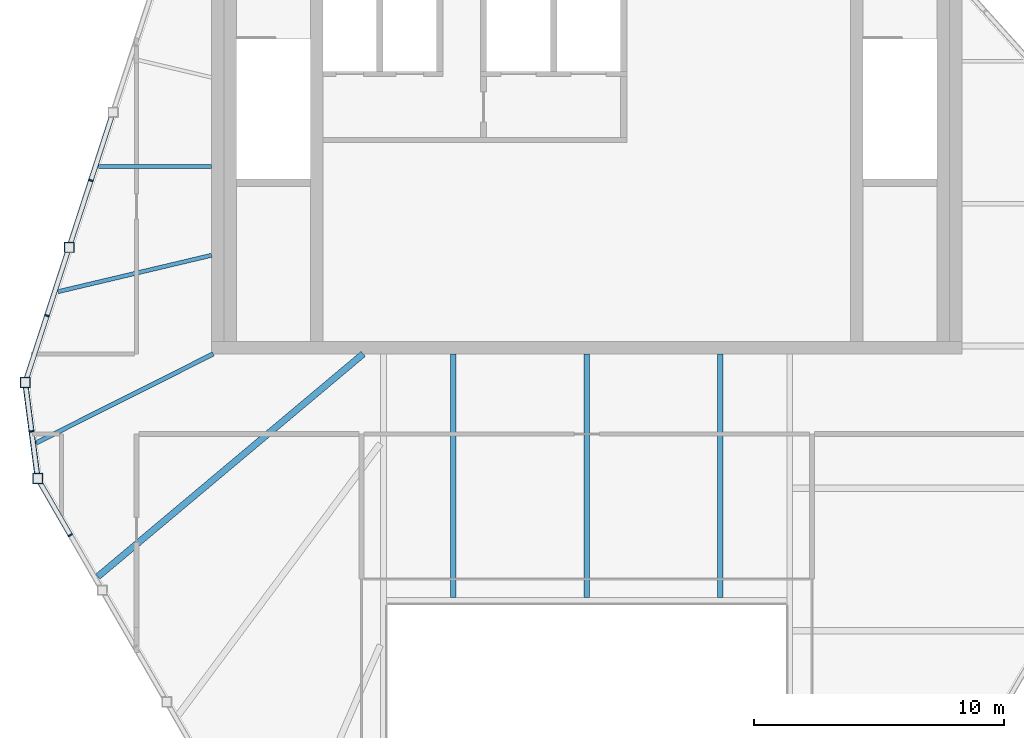
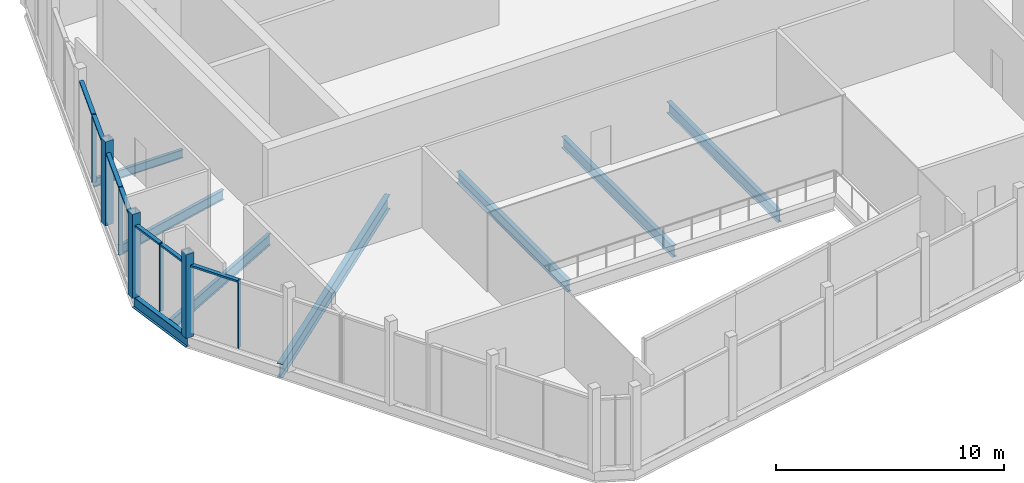
# One storey, part 3 of 10: 14 members, 8 beams, 3 elements without a shape of their own.
"""IFC4 building model written with IfcOpenShell, lengths in metres."""

from ifc_helpers import new_model, si_unit, direction, frame, origin, origin_2d, place, context, subcontext, project, spatial, rectangle, hollow_rectangle, i_section, extrude, material, layer, layer_set, material_profile, profile_set, type_object, element, aggregate, save


model = new_model("IFC4")

# Units and contexts
model_context = context("Model", 3, precision=1e-05, world=origin(), true_north=direction((0.0, 1.0)))
body_context = subcontext(model_context, "Body", "Model", "MODEL_VIEW")
ifc_project = project(units=[si_unit("LENGTHUNIT", "METRE"), si_unit("AREAUNIT", "SQUARE_METRE"), si_unit("VOLUMEUNIT", "CUBIC_METRE"), si_unit("PLANEANGLEUNIT", "RADIAN"), si_unit("MASSUNIT", "GRAM", prefix="KILO")], contexts=[model_context])

# Site, building, storey
site_placement = place(None, origin())
site = spatial("IfcSite", under=ifc_project, at=site_placement, CompositionType="ELEMENT")
building_placement = place(site_placement, origin())
building = spatial("IfcBuilding", under=site, at=building_placement, Name="Isthmus Gate Tower", CompositionType="ELEMENT")
storey_placement = place(building_placement, frame((0.0, 0.0, 311.10009765625)))
storey = spatial("IfcBuildingStorey", under=building, at=storey_placement, Name="C3", CompositionType="ELEMENT", Elevation=311.10009765625)

# Members
ifc_material_1 = material(Name="Structural steel ASTM A500 Gr C", Category="steel")
ifc_material_profile_1 = material_profile(ifc_material_1, hollow_rectangle(XDim=0.406494140625, YDim=0.406494140625, WallThickness=0.017578125, at=origin_2d()), Name="HSS16X16X3/4")
ifc_profile_set_1 = profile_set([ifc_material_profile_1], Name="Structural steel ASTM A500 Gr C")
member_type_1 = type_object("IfcMemberType", Name="CROWN POST HSS16X16X3/4", PredefinedType="POST", material=ifc_profile_set_1)
for number, where, z_axis, x_axis, name in (
    (1, (-20.693359375, 4.26123046875, -0.25), (0.0, 0.0, 1.0), (1.0, 0.0, 0.0), "str-crownpost-C3-09"),
    (2, (-22.449462890625, -1.1435546875, -0.25), (0.0, 0.0, 1.0), (1.0, 0.0, 0.0), "str-crownpost-C3-10"),
    (3, (-21.949462890625, -4.982177734375, -0.25), (0.0, 0.0, 1.0), (1.0, 0.0, 0.0), "str-crownpost-C3-11"),
):
    element("IfcMember", number, at=place(storey_placement, frame(where, z_axis=z_axis, x_axis=x_axis)), inside=storey, type_object=member_type_1, Name=name, PredefinedType="POST", context=body_context, shape_type="SweptSolid", body=[
        extrude(hollow_rectangle(XDim=0.406494140625, YDim=0.406494140625, WallThickness=0.017578125, at=origin_2d()), origin(), (0.0, 0.0, 1.0), 4.5),
    ])

# Beam
ifc_material_2 = material(Name="Structural steel ASTM A992 Gr 50", Category="steel")
ifc_material_profile_2 = material_profile(ifc_material_2, i_section(OverallWidth=0.231689453125, OverallDepth=0.615966796875, WebThickness=0.0126953125, FlangeThickness=0.022216796875, at=origin_2d()), Name="W24X94")
ifc_profile_set_2 = profile_set([ifc_material_profile_2], Name="Structural steel ASTM A992 Gr 50")
beam_type_1 = type_object("IfcBeamType", Name="CROWN RING BEAM W24X94", PredefinedType="BEAM", material=ifc_profile_set_2)
beam_1_placement = place(storey_placement, frame((-22.449462890625, -1.1435546875, -0.55810546875), z_axis=(0.129163927133, -0.991623255036, 0.0), x_axis=(0.991623255036, 0.129163927133, 0.0)))
element("IfcBeam", 4, at=beam_1_placement, inside=storey, type_object=beam_type_1, Name="str-crownring-C3-03", PredefinedType="BEAM", context=body_context, shape_type="SweptSolid", body=[
    extrude(i_section(OverallWidth=0.231689453125, OverallDepth=0.615966796875, WebThickness=0.0126953125, FlangeThickness=0.022216796875, at=origin_2d()), origin(), (0.0, 0.0, 1.0), 3.87109375),
])

# Curtain wall, members
ifc_material_3 = material(Name="Aluminium, pale champagne anodised", Category="aluminium")
ifc_layer = layer(ifc_material_3, 0.199951171875)
ifc_layer_set = layer_set([ifc_layer], Name="CW-2 LOUVRE CURTAIN WALL 200 DEEP")
curtain_wall_type = type_object("IfcCurtainWallType", Name="CW-2 LOUVRE CURTAIN WALL 200 DEEP", PredefinedType="NOTDEFINED", material=ifc_layer_set)
curtain_wall_1_placement = place(storey_placement, origin())
curtain_wall_1 = element("IfcCurtainWall", 5, at=curtain_wall_1_placement, inside=storey, type_object=curtain_wall_type, Name="CW-2 E02 C3", PredefinedType="NOTDEFINED")
ifc_material_4 = material(Name="Aluminium, pale champagne anodised", Category="aluminium")
ifc_material_profile_3 = material_profile(ifc_material_4, rectangle(XDim=0.06005859375, YDim=0.199951171875, at=origin_2d()), Name="60x200")
ifc_profile_set_3 = profile_set([ifc_material_profile_3], Name="Aluminium, pale champagne anodised")
member_type_2 = type_object("IfcMemberType", Name="CW-2 MULLION 60 X 200", PredefinedType="MULLION", material=ifc_profile_set_3)
member_1_placement = place(storey_placement, frame((-19.82470703125, 6.93505859375, 0.0), z_axis=(0.0, 0.0, 1.0), x_axis=(-0.309016994375, -0.951056516295, 0.0)))
member_1 = element("IfcMember", 6, at=member_1_placement, type_object=member_type_2, Name="CW-2 mullion", PredefinedType="MULLION", context=body_context, shape_type="SweptSolid", body=[
    extrude(rectangle(XDim=0.06005859375, YDim=0.199951171875, at=origin_2d()), origin(), (0.0, 0.0, 1.0), 3.634033203125),
])
member_2_placement = place(storey_placement, frame((-21.580810546875, 1.5302734375, 0.0), z_axis=(0.0, 0.0, 1.0), x_axis=(-0.309016994375, -0.951056516295, 0.0)))
member_2 = element("IfcMember", 7, at=member_2_placement, type_object=member_type_2, Name="CW-2 mullion", PredefinedType="MULLION", context=body_context, shape_type="SweptSolid", body=[
    extrude(rectangle(XDim=0.06005859375, YDim=0.199951171875, at=origin_2d()), origin(), (0.0, 0.0, 1.0), 3.634033203125),
])

# Curtain wall, member
curtain_wall_2_placement = place(storey_placement, origin())
curtain_wall_2 = element("IfcCurtainWall", 8, at=curtain_wall_2_placement, inside=storey, type_object=curtain_wall_type, Name="CW-2 E03 C3", PredefinedType="NOTDEFINED")
member_3_placement = place(storey_placement, frame((-22.195556640625, -3.0927734375, 0.0), z_axis=(0.0, 0.0, 1.0), x_axis=(0.129164534, -0.991623175988, 0.0)))
member_3 = element("IfcMember", 9, at=member_3_placement, type_object=member_type_2, Name="CW-2 mullion", PredefinedType="MULLION", context=body_context, shape_type="SweptSolid", body=[
    extrude(rectangle(XDim=0.06005859375, YDim=0.199951171875, at=origin_2d()), origin(), (0.0, 0.0, 1.0), 3.634033203125),
])

curtain_wall_3_placement = place(storey_placement, origin())
curtain_wall_3 = element("IfcCurtainWall", 10, at=curtain_wall_3_placement, inside=storey, type_object=curtain_wall_type, Name="CW-2 E04 C3", PredefinedType="NOTDEFINED")
member_4_placement = place(storey_placement, frame((-20.645263671875, -7.241455078125, 0.0), z_axis=(0.0, 0.0, 1.0), x_axis=(0.5, -0.866025403784, 0.0)))
member_4 = element("IfcMember", 11, at=member_4_placement, type_object=member_type_2, Name="CW-2 mullion", PredefinedType="MULLION", context=body_context, shape_type="SweptSolid", body=[
    extrude(rectangle(XDim=0.06005859375, YDim=0.199951171875, at=origin_2d()), origin(), (0.0, 0.0, 1.0), 3.634033203125),
])

# Member
ifc_material_5 = material(Name="Aluminium, pale champagne anodised", Category="aluminium")
ifc_material_profile_4 = material_profile(ifc_material_5, rectangle(XDim=0.199951171875, YDim=0.10009765625, at=origin_2d()), Name="200x100")
ifc_profile_set_4 = profile_set([ifc_material_profile_4], Name="Aluminium, pale champagne anodised")
member_type_3 = type_object("IfcMemberType", Name="CW-2 TRANSOM 200 X 100", PredefinedType="USERDEFINED", material=ifc_profile_set_4)
member_5_placement = place(storey_placement, frame((-19.0, 9.472900390625, 3.583984375), z_axis=(-0.30905677999, -0.951043588245, 0.0), x_axis=(0.951043588245, -0.30905677999, 0.0)))
member_5 = element("IfcMember", 12, at=member_5_placement, type_object=member_type_3, Name="CW-2 transom", ObjectType="TRANSOM", PredefinedType="USERDEFINED", context=body_context, shape_type="SweptSolid", body=[
    extrude(rectangle(XDim=0.199951171875, YDim=0.10009765625, at=origin_2d()), origin(), (0.0, 0.0, 1.0), 2.638427734375),
])

member_6_placement = place(storey_placement, frame((-19.833984375, 6.90673828125, 3.583984375), z_axis=(-0.308974732738, -0.951070246895, 0.0), x_axis=(0.951070246895, -0.308974732738, 0.0)))
member_6 = element("IfcMember", 13, at=member_6_placement, type_object=member_type_3, Name="CW-2 transom", ObjectType="TRANSOM", PredefinedType="USERDEFINED", context=body_context, shape_type="SweptSolid", body=[
    extrude(rectangle(XDim=0.199951171875, YDim=0.10009765625, at=origin_2d()), origin(), (0.0, 0.0, 1.0), 2.578369140625),
])

member_7_placement = place(storey_placement, frame((-20.756103515625, 4.068115234375, 3.583984375), z_axis=(-0.30905677999, -0.951043588245, 0.0), x_axis=(0.951043588245, -0.30905677999, 0.0)))
member_7 = element("IfcMember", 14, at=member_7_placement, type_object=member_type_3, Name="CW-2 transom", ObjectType="TRANSOM", PredefinedType="USERDEFINED", context=body_context, shape_type="SweptSolid", body=[
    extrude(rectangle(XDim=0.199951171875, YDim=0.10009765625, at=origin_2d()), origin(), (0.0, 0.0, 1.0), 2.638427734375),
])

member_8_placement = place(storey_placement, frame((-21.590087890625, 1.501708984375, 3.583984375), z_axis=(-0.308974732738, -0.951070246895, 0.0), x_axis=(0.951070246895, -0.308974732738, 0.0)))
member_8 = element("IfcMember", 15, at=member_8_placement, type_object=member_type_3, Name="CW-2 transom", ObjectType="TRANSOM", PredefinedType="USERDEFINED", context=body_context, shape_type="SweptSolid", body=[
    extrude(rectangle(XDim=0.199951171875, YDim=0.10009765625, at=origin_2d()), origin(), (0.0, 0.0, 1.0), 2.578369140625),
])

aggregate(curtain_wall_1, [member_5, member_1, member_6, member_7, member_2, member_8])

member_9_placement = place(storey_placement, frame((-22.42333984375, -1.34521484375, 3.583984375), z_axis=(0.129236757145, -0.99161376584, 0.0), x_axis=(0.99161376584, 0.129236757145, 0.0)))
member_9 = element("IfcMember", 16, at=member_9_placement, type_object=member_type_3, Name="CW-2 transom", ObjectType="TRANSOM", PredefinedType="USERDEFINED", context=body_context, shape_type="SweptSolid", body=[
    extrude(rectangle(XDim=0.199951171875, YDim=0.10009765625, at=origin_2d()), origin(), (0.0, 0.0, 1.0), 1.732421875),
])

member_10_placement = place(storey_placement, frame((-22.19189453125, -3.12255859375, 3.583984375), z_axis=(0.129208110505, -0.991617498928, 0.0), x_axis=(0.991617498928, 0.129208110505, 0.0)))
member_10 = element("IfcMember", 17, at=member_10_placement, type_object=member_type_3, Name="CW-2 transom", ObjectType="TRANSOM", PredefinedType="USERDEFINED", context=body_context, shape_type="SweptSolid", body=[
    extrude(rectangle(XDim=0.199951171875, YDim=0.10009765625, at=origin_2d()), origin(), (0.0, 0.0, 1.0), 1.672119140625),
])

aggregate(curtain_wall_2, [member_9, member_3, member_10])

member_11_placement = place(storey_placement, frame((-21.847900390625, -5.158203125, 3.583984375), z_axis=(0.49997450891, -0.866040120572, 0.0), x_axis=(0.866040120572, 0.49997450891, 0.0)))
member_11 = element("IfcMember", 18, at=member_11_placement, type_object=member_type_3, Name="CW-2 transom", ObjectType="TRANSOM", PredefinedType="USERDEFINED", context=body_context, shape_type="SweptSolid", body=[
    extrude(rectangle(XDim=0.199951171875, YDim=0.10009765625, at=origin_2d()), origin(), (0.0, 0.0, 1.0), 2.37548828125),
])

aggregate(curtain_wall_3, [member_11, member_4])

# Beams
ifc_material_6 = material(Name="Structural steel ASTM A992 Gr 50", Category="steel")
ifc_material_profile_5 = material_profile(ifc_material_6, i_section(OverallWidth=0.15234375, OverallDepth=0.45068359375, WebThickness=0.0078125, FlangeThickness=0.010986328125, at=origin_2d()), Name="W18X35")
ifc_profile_set_5 = profile_set([ifc_material_profile_5], Name="Structural steel ASTM A992 Gr 50")
beam_type_2 = type_object("IfcBeamType", Name="STEEL FLOOR BEAM W18X35", PredefinedType="JOIST", material=ifc_profile_set_5)
beam_2_placement = place(storey_placement, frame((-15.0, 7.5, -0.4755859375), z_axis=(-1.0, 0.0, 0.0), x_axis=(0.0, -1.0, 0.0)))
element("IfcBeam", 19, at=beam_2_placement, inside=storey, type_object=beam_type_2, Name="str-beam-C3-00-11", PredefinedType="JOIST", context=body_context, shape_type="SweptSolid", body=[
    extrude(i_section(OverallWidth=0.15234375, OverallDepth=0.45068359375, WebThickness=0.0078125, FlangeThickness=0.010986328125, at=origin_2d()), origin(), (0.0, 0.0, 1.0), 4.519287109375),
])
ifc_material_7 = material(Name="Structural steel ASTM A992 Gr 50", Category="steel")
ifc_material_profile_6 = material_profile(ifc_material_7, i_section(OverallWidth=0.1650390625, OverallDepth=0.52392578125, WebThickness=0.009521484375, FlangeThickness=0.010986328125, at=origin_2d()), Name="W21X44")
ifc_profile_set_6 = profile_set([ifc_material_profile_6], Name="Structural steel ASTM A992 Gr 50")
beam_type_3 = type_object("IfcBeamType", Name="STEEL FLOOR BEAM W21X44", PredefinedType="JOIST", material=ifc_profile_set_6)
beam_3_placement = place(storey_placement, frame((-15.0, 3.94482421875, -0.511962890625), z_axis=(-0.97304492809, -0.230615628086, 0.0), x_axis=(0.230615628086, -0.97304492809, 0.0)))
element("IfcBeam", 20, at=beam_3_placement, inside=storey, type_object=beam_type_3, Name="str-beam-C3-00-12", PredefinedType="JOIST", context=body_context, shape_type="SweptSolid", body=[
    extrude(i_section(OverallWidth=0.1650390625, OverallDepth=0.52392578125, WebThickness=0.009521484375, FlangeThickness=0.010986328125, at=origin_2d()), origin(), (0.0, 0.0, 1.0), 6.318115234375),
])
ifc_material_8 = material(Name="Structural steel ASTM A992 Gr 50", Category="steel")
ifc_material_profile_7 = material_profile(ifc_material_8, i_section(OverallWidth=0.177734375, OverallDepth=0.60009765625, WebThickness=0.009521484375, FlangeThickness=0.0126953125, at=origin_2d()), Name="W24X55")
ifc_profile_set_7 = profile_set([ifc_material_profile_7], Name="Structural steel ASTM A992 Gr 50")
beam_type_4 = type_object("IfcBeamType", Name="STEEL FLOOR BEAM W24X55", PredefinedType="JOIST", material=ifc_profile_set_7)
beam_4_placement = place(storey_placement, frame((-14.933837890625, 0.0, -0.550048828125), z_axis=(-0.893637424395, -0.448789654204, 0.0), x_axis=(0.448789654204, -0.893637424395, 0.0)))
element("IfcBeam", 21, at=beam_4_placement, inside=storey, type_object=beam_type_4, Name="str-beam-C3-00-13", PredefinedType="JOIST", context=body_context, shape_type="SweptSolid", body=[
    extrude(i_section(OverallWidth=0.177734375, OverallDepth=0.60009765625, WebThickness=0.009521484375, FlangeThickness=0.0126953125, at=origin_2d()), origin(), (0.0, 0.0, 1.0), 7.927734375),
])
ifc_material_9 = material(Name="Structural steel ASTM A992 Gr 50", Category="steel")
ifc_material_profile_8 = material_profile(ifc_material_9, i_section(OverallWidth=0.228515625, OverallDepth=0.603271484375, WebThickness=0.010986328125, FlangeThickness=0.014404296875, at=origin_2d()), Name="W24X68")
ifc_profile_set_8 = profile_set([ifc_material_profile_8], Name="Structural steel ASTM A992 Gr 50")
beam_type_5 = type_object("IfcBeamType", Name="STEEL FLOOR BEAM W24X68", PredefinedType="JOIST", material=ifc_profile_set_8)
for number, where, z_axis, x_axis, name in (
    (22, (-5.333251953125, -9.7333984375, -0.5517578125), (0.0, 1.0, 0.0), (-1.0, 0.0, 0.0), "str-beam-C3-02-00"),
    (23, (0.0, -9.7333984375, -0.5517578125), (0.0, 1.0, 0.0), (-1.0, 0.0, 0.0), "str-beam-C3-02-01"),
    (24, (5.333251953125, -9.7333984375, -0.5517578125), (0.0, 1.0, 0.0), (-1.0, 0.0, 0.0), "str-beam-C3-02-02"),
):
    element("IfcBeam", number, at=place(storey_placement, frame(where, z_axis=z_axis, x_axis=x_axis)), inside=storey, type_object=beam_type_5, Name=name, PredefinedType="JOIST", context=body_context, shape_type="SweptSolid", body=[
        extrude(i_section(OverallWidth=0.228515625, OverallDepth=0.603271484375, WebThickness=0.010986328125, FlangeThickness=0.014404296875, at=origin_2d()), origin(), (0.0, 0.0, 1.0), 9.7333984375),
    ])
ifc_material_10 = material(Name="Structural steel ASTM A992 Gr 50", Category="steel")
ifc_material_profile_9 = material_profile(ifc_material_10, i_section(OverallWidth=0.263427734375, OverallDepth=0.749267578125, WebThickness=0.0126953125, FlangeThickness=0.015869140625, at=origin_2d()), Name="W30X90")
ifc_profile_set_9 = profile_set([ifc_material_profile_9], Name="Structural steel ASTM A992 Gr 50")
beam_type_6 = type_object("IfcBeamType", Name="STEEL FLOOR BEAM W30X90", PredefinedType="JOIST", material=ifc_profile_set_9)
beam_5_placement = place(storey_placement, frame((-8.938232421875, 0.0, -0.624755859375), z_axis=(-0.766042897372, -0.642789451831, 0.0), x_axis=(0.642789451831, -0.766042897372, 0.0)))
element("IfcBeam", 25, at=beam_5_placement, inside=storey, type_object=beam_type_6, Name="str-beam-C3-00-14", PredefinedType="JOIST", context=body_context, shape_type="SweptSolid", body=[
    extrude(i_section(OverallWidth=0.263427734375, OverallDepth=0.749267578125, WebThickness=0.0126953125, FlangeThickness=0.015869140625, at=origin_2d()), origin(), (0.0, 0.0, 1.0), 13.853759765625),
])

save(model, "model.ifc")
